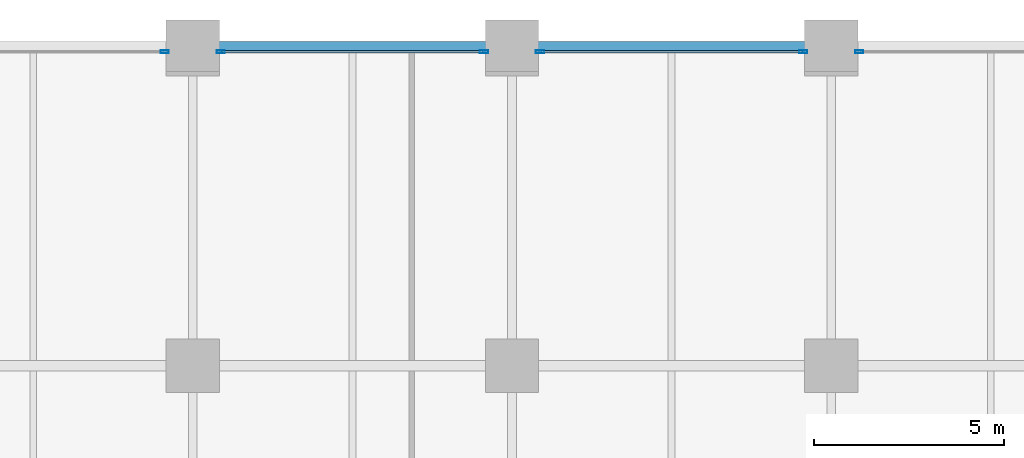
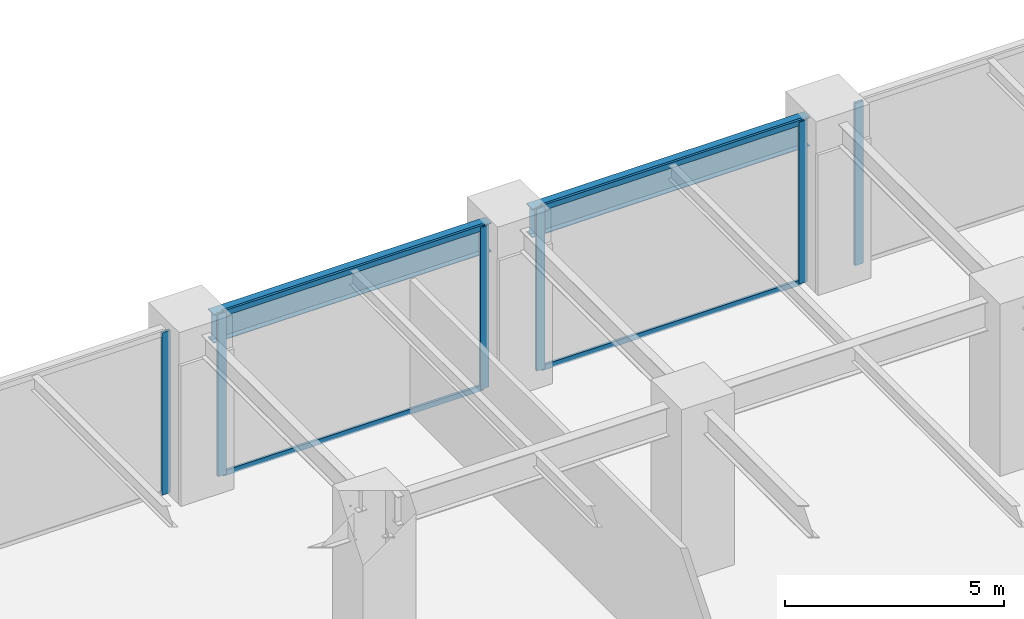
# One storey, part 16 of 23: 10 members, 2 beams, 4 elements without a shape of their own.
"""IFC4 building model written with IfcOpenShell, lengths in metres."""

from ifc_helpers import new_model, si_unit, direction, frame, origin, origin_2d, place, context, subcontext, project, spatial, hollow_rectangle, i_section, extrude, material, layer, layer_set, material_profile, profile_set, type_object, element, aggregate, save


model = new_model("IFC4")

# Units and contexts
model_context = context("Model", 3, precision=1e-05, world=origin(), true_north=direction((0.0, 1.0)))
body_context = subcontext(model_context, "Body", "Model", "MODEL_VIEW")
ifc_project = project(units=[si_unit("LENGTHUNIT", "METRE"), si_unit("AREAUNIT", "SQUARE_METRE"), si_unit("VOLUMEUNIT", "CUBIC_METRE"), si_unit("PLANEANGLEUNIT", "RADIAN"), si_unit("MASSUNIT", "GRAM", prefix="KILO")], contexts=[model_context])

# Site, building, storey
site_placement = place(None, origin())
site = spatial("IfcSite", under=ifc_project, at=site_placement, CompositionType="ELEMENT")
building_placement = place(site_placement, origin())
building = spatial("IfcBuilding", under=site, at=building_placement, Name="Nerrivon Quay Data Exchange", CompositionType="ELEMENT")
storey_placement = place(building_placement, frame((0.0, 0.0, 5.39990234375)))
storey = spatial("IfcBuildingStorey", under=building, at=storey_placement, Name="L01", CompositionType="ELEMENT", Elevation=5.39990234375)

# Beams
ifc_material_1 = material(Name="Steel Grade 350", Category="steel")
ifc_material_profile_1 = material_profile(ifc_material_1, i_section(OverallWidth=0.27490234375, OverallDepth=0.800048828125, WebThickness=0.010009765625, FlangeThickness=0.02001953125, at=origin_2d()), Name="800WB146")
ifc_profile_set_1 = profile_set([ifc_material_profile_1], Name="Steel Grade 350")
beam_type = type_object("IfcBeamType", Name="BM-G8-800WB146", PredefinedType="BEAM", material=ifc_profile_set_1)
for number, where, z_axis, x_axis, name in (
    (1, (34.139892578125, 50.39990234375, 4.125), (1.0, 0.0, 0.0), (0.0, 1.0, 0.0), "L01 EW Girder Y=50.4 (33.6..42.0)"),
    (2, (42.5400390625, 50.39990234375, 4.125), (1.0, 0.0, 0.0), (0.0, 1.0, 0.0), "L01 EW Girder Y=50.4 (42.0..50.4)"),
):
    element("IfcBeam", number, at=place(storey_placement, frame(where, z_axis=z_axis, x_axis=x_axis)), inside=storey, type_object=beam_type, Name=name, PredefinedType="BEAM", context=body_context, shape_type="SweptSolid", body=[
        extrude(i_section(OverallWidth=0.27490234375, OverallDepth=0.800048828125, WebThickness=0.010009765625, FlangeThickness=0.02001953125, at=origin_2d()), origin(), (0.0, 0.0, 1.0), 7.320068359375),
    ])

# Curtain wall, member
ifc_material_2 = material(Name="Anodised aluminium 6063-T6", Category="aluminium")
ifc_layer = layer(ifc_material_2, 0.239990234375)
ifc_layer_set = layer_set([ifc_layer], Name="Anodised aluminium 6063-T6")
curtain_wall_type = type_object("IfcCurtainWallType", Name="CW-SYS-03", PredefinedType="NOTDEFINED", material=ifc_layer_set)
curtain_wall_1_placement = place(storey_placement, origin())
curtain_wall_1 = element("IfcCurtainWall", 3, at=curtain_wall_1_placement, inside=storey, type_object=curtain_wall_type, Name="L01 Unitised Curtain Wall 10", PredefinedType="NOTDEFINED")
ifc_material_profile_2 = material_profile(ifc_material_2, hollow_rectangle(XDim=0.074951171875, YDim=0.219970703125, WallThickness=0.00390625, at=origin_2d()), Name="ALU-MULL-220x75")
ifc_profile_set_2 = profile_set([ifc_material_profile_2], Name="Anodised aluminium 6063-T6")
member_type_1 = type_object("IfcMemberType", Name="CWM-220x75", PredefinedType="MULLION", material=ifc_profile_set_2)
member_1_placement = place(storey_placement, frame((32.862548828125, 50.260009765625, 0.0), z_axis=(0.0, 0.0, 1.0), x_axis=(0.0, 1.0, 0.0)))
member_1 = element("IfcMember", 4, at=member_1_placement, type_object=member_type_1, Name="CW03 mullion 2", PredefinedType="MULLION", context=body_context, shape_type="SweptSolid", body=[
    extrude(hollow_rectangle(XDim=0.074951171875, YDim=0.219970703125, WallThickness=0.00390625, at=origin_2d()), origin(), (0.0, 0.0, 1.0), 4.525146484375),
])
aggregate(curtain_wall_1, [member_1])

# Curtain wall, members
curtain_wall_2_placement = place(storey_placement, origin())
curtain_wall_2 = element("IfcCurtainWall", 5, at=curtain_wall_2_placement, inside=storey, type_object=curtain_wall_type, Name="L01 Unitised Curtain Wall 11", PredefinedType="NOTDEFINED")
member_2_placement = place(storey_placement, frame((34.33740234375, 50.260009765625, 0.0), z_axis=(0.0, 0.0, 1.0), x_axis=(0.0, 1.0, 0.0)))
member_2 = element("IfcMember", 6, at=member_2_placement, type_object=member_type_1, Name="CW03 mullion 1", PredefinedType="MULLION", context=body_context, shape_type="SweptSolid", body=[
    extrude(hollow_rectangle(XDim=0.074951171875, YDim=0.219970703125, WallThickness=0.00390625, at=origin_2d()), origin(), (0.0, 0.0, 1.0), 4.525146484375),
])
member_3_placement = place(storey_placement, frame((41.262451171875, 50.260009765625, 0.0), z_axis=(0.0, 0.0, 1.0), x_axis=(0.0, 1.0, 0.0)))
member_3 = element("IfcMember", 7, at=member_3_placement, type_object=member_type_1, Name="CW03 mullion 2", PredefinedType="MULLION", context=body_context, shape_type="SweptSolid", body=[
    extrude(hollow_rectangle(XDim=0.074951171875, YDim=0.219970703125, WallThickness=0.00390625, at=origin_2d()), origin(), (0.0, 0.0, 1.0), 4.525146484375),
])

curtain_wall_3_placement = place(storey_placement, origin())
curtain_wall_3 = element("IfcCurtainWall", 8, at=curtain_wall_3_placement, inside=storey, type_object=curtain_wall_type, Name="L01 Unitised Curtain Wall 12", PredefinedType="NOTDEFINED")
member_4_placement = place(storey_placement, frame((42.737548828125, 50.260009765625, 0.0), z_axis=(0.0, 0.0, 1.0), x_axis=(0.0, 1.0, 0.0)))
member_4 = element("IfcMember", 9, at=member_4_placement, type_object=member_type_1, Name="CW03 mullion 1", PredefinedType="MULLION", context=body_context, shape_type="SweptSolid", body=[
    extrude(hollow_rectangle(XDim=0.074951171875, YDim=0.219970703125, WallThickness=0.00390625, at=origin_2d()), origin(), (0.0, 0.0, 1.0), 4.525146484375),
])
member_5_placement = place(storey_placement, frame((49.66259765625, 50.260009765625, 0.0), z_axis=(0.0, 0.0, 1.0), x_axis=(0.0, 1.0, 0.0)))
member_5 = element("IfcMember", 10, at=member_5_placement, type_object=member_type_1, Name="CW03 mullion 2", PredefinedType="MULLION", context=body_context, shape_type="SweptSolid", body=[
    extrude(hollow_rectangle(XDim=0.074951171875, YDim=0.219970703125, WallThickness=0.00390625, at=origin_2d()), origin(), (0.0, 0.0, 1.0), 4.525146484375),
])

# Curtain wall, member
curtain_wall_4_placement = place(storey_placement, origin())
curtain_wall_4 = element("IfcCurtainWall", 11, at=curtain_wall_4_placement, inside=storey, type_object=curtain_wall_type, Name="L01 Unitised Curtain Wall 13", PredefinedType="NOTDEFINED")
member_6_placement = place(storey_placement, frame((51.137451171875, 50.260009765625, 0.0), z_axis=(0.0, 0.0, 1.0), x_axis=(0.0, 1.0, 0.0)))
member_6 = element("IfcMember", 12, at=member_6_placement, type_object=member_type_1, Name="CW03 mullion 1", PredefinedType="MULLION", context=body_context, shape_type="SweptSolid", body=[
    extrude(hollow_rectangle(XDim=0.074951171875, YDim=0.219970703125, WallThickness=0.00390625, at=origin_2d()), origin(), (0.0, 0.0, 1.0), 4.525146484375),
])
aggregate(curtain_wall_4, [member_6])

# Member
ifc_material_profile_3 = material_profile(ifc_material_2, hollow_rectangle(XDim=0.06494140625, YDim=0.14990234375, WallThickness=0.00341796875, at=origin_2d()), Name="ALU-TRAN-150x65")
ifc_profile_set_3 = profile_set([ifc_material_profile_3], Name="Anodised aluminium 6063-T6")
member_type_2 = type_object("IfcMemberType", Name="CWT-150x65", PredefinedType="USERDEFINED", material=ifc_profile_set_3)
member_7_placement = place(storey_placement, frame((34.375, 50.260009765625, 0.03271484375), z_axis=(1.0, 0.0, 0.0), x_axis=(0.0, 1.0, 0.0)))
member_7 = element("IfcMember", 13, at=member_7_placement, type_object=member_type_2, Name="CW03 transom 1.1", ObjectType="TRANSOM", PredefinedType="USERDEFINED", context=body_context, shape_type="SweptSolid", body=[
    extrude(hollow_rectangle(XDim=0.06494140625, YDim=0.14990234375, WallThickness=0.00341796875, at=origin_2d()), origin(), (0.0, 0.0, 1.0), 6.85009765625),
])

member_8_placement = place(storey_placement, frame((34.375, 50.260009765625, 4.49267578125), z_axis=(1.0, 0.0, 0.0), x_axis=(0.0, 1.0, 0.0)))
member_8 = element("IfcMember", 14, at=member_8_placement, type_object=member_type_2, Name="CW03 transom 1.2", ObjectType="TRANSOM", PredefinedType="USERDEFINED", context=body_context, shape_type="SweptSolid", body=[
    extrude(hollow_rectangle(XDim=0.06494140625, YDim=0.14990234375, WallThickness=0.00341796875, at=origin_2d()), origin(), (0.0, 0.0, 1.0), 6.85009765625),
])

aggregate(curtain_wall_2, [member_2, member_3, member_7, member_8])

member_9_placement = place(storey_placement, frame((42.77490234375, 50.260009765625, 0.03271484375), z_axis=(1.0, 0.0, 0.0), x_axis=(0.0, 1.0, 0.0)))
member_9 = element("IfcMember", 15, at=member_9_placement, type_object=member_type_2, Name="CW03 transom 1.1", ObjectType="TRANSOM", PredefinedType="USERDEFINED", context=body_context, shape_type="SweptSolid", body=[
    extrude(hollow_rectangle(XDim=0.06494140625, YDim=0.14990234375, WallThickness=0.00341796875, at=origin_2d()), origin(), (0.0, 0.0, 1.0), 6.85009765625),
])

member_10_placement = place(storey_placement, frame((42.77490234375, 50.260009765625, 4.49267578125), z_axis=(1.0, 0.0, 0.0), x_axis=(0.0, 1.0, 0.0)))
member_10 = element("IfcMember", 16, at=member_10_placement, type_object=member_type_2, Name="CW03 transom 1.2", ObjectType="TRANSOM", PredefinedType="USERDEFINED", context=body_context, shape_type="SweptSolid", body=[
    extrude(hollow_rectangle(XDim=0.06494140625, YDim=0.14990234375, WallThickness=0.00341796875, at=origin_2d()), origin(), (0.0, 0.0, 1.0), 6.85009765625),
])

aggregate(curtain_wall_3, [member_4, member_5, member_9, member_10])

save(model, "model.ifc")
